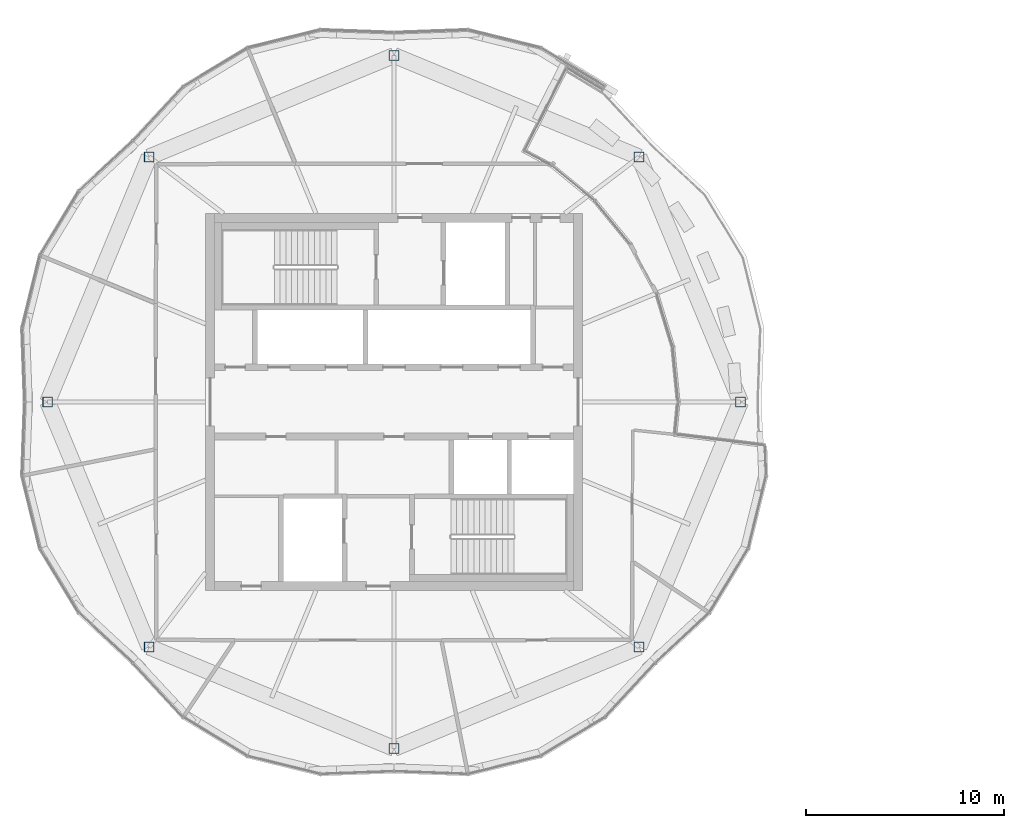
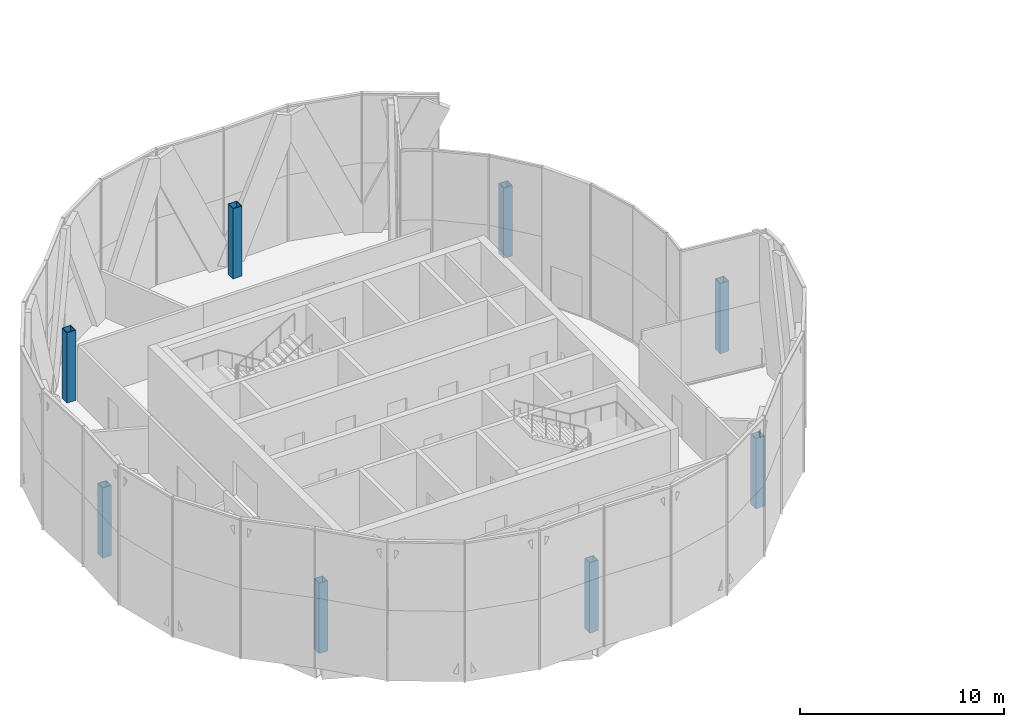
# One storey, part 1 of 24: 8 columns.
"""IFC4 building model written with IfcOpenShell, lengths in metres."""

from ifc_helpers import new_model, si_unit, direction, frame, origin, origin_2d, place, context, subcontext, project, spatial, hollow_rectangle, extrude, material, material_profile, profile_set, type_object, element, save


model = new_model("IFC4")

# Units and contexts
model_context = context("Model", 3, precision=1e-05, world=origin(), true_north=direction((0.0, 1.0)))
body_context = subcontext(model_context, "Body", "Model", "MODEL_VIEW")
ifc_project = project(units=[si_unit("LENGTHUNIT", "METRE"), si_unit("AREAUNIT", "SQUARE_METRE"), si_unit("VOLUMEUNIT", "CUBIC_METRE"), si_unit("PLANEANGLEUNIT", "RADIAN"), si_unit("MASSUNIT", "GRAM", prefix="KILO")], contexts=[model_context])

# Site, building, storey
site_placement = place(None, origin())
site = spatial("IfcSite", under=ifc_project, at=site_placement, CompositionType="ELEMENT")
building_placement = place(site_placement, origin())
building = spatial("IfcBuilding", under=site, at=building_placement, Name="Ogive Gate Towers", CompositionType="ELEMENT")
storey_placement = place(building_placement, frame((0.0, 0.0, 277.199951171875)))
storey = spatial("IfcBuildingStorey", under=building, at=storey_placement, Name="L65", CompositionType="ELEMENT", Elevation=277.199951171875)

# Columns
ifc_material = material(Name="Steel SM460", Category="steel")
ifc_material_profile = material_profile(ifc_material, hollow_rectangle(XDim=0.5, YDim=0.5, WallThickness=0.030029296875, at=origin_2d()), Name="BX 500x500x30")
ifc_profile_set = profile_set([ifc_material_profile], Name="Steel SM460")
column_type = type_object("IfcColumnType", Name="Perimeter post BX 500x500x30", PredefinedType="COLUMN", material=ifc_profile_set)
for number, where, z_axis, x_axis, name in (
    (1, (-18.544921875, 0.0, 0.0), (0.0, 0.0, 1.0), (1.0, 0.0, 0.0), "T1/L65/SCL001"),
    (2, (-23.657470703125, 12.342529296875, 0.0), (0.0, 0.0, 1.0), (1.0, 0.0, 0.0), "T1/L65/SCL002"),
    (3, (-36.0, 17.455078125, 0.0), (0.0, 0.0, 1.0), (1.0, 0.0, 0.0), "T1/L65/SCL003"),
    (4, (-48.342529296875, 12.342529296875, 0.0), (0.0, 0.0, 1.0), (1.0, 0.0, 0.0), "T1/L65/SCL004"),
    (5, (-53.455078125, 0.0, 0.0), (0.0, 0.0, 1.0), (1.0, 0.0, 0.0), "T1/L65/SCL005"),
    (6, (-48.342529296875, -12.342529296875, 0.0), (0.0, 0.0, 1.0), (1.0, 0.0, 0.0), "T1/L65/SCL006"),
    (7, (-36.0, -17.455078125, 0.0), (0.0, 0.0, 1.0), (1.0, 0.0, 0.0), "T1/L65/SCL007"),
    (8, (-23.657470703125, -12.342529296875, 0.0), (0.0, 0.0, 1.0), (1.0, 0.0, 0.0), "T1/L65/SCL008"),
):
    element("IfcColumn", number, at=place(storey_placement, frame(where, z_axis=z_axis, x_axis=x_axis)), inside=storey, type_object=column_type, Name=name, PredefinedType="COLUMN", context=body_context, shape_type="SweptSolid", body=[
        extrude(hollow_rectangle(XDim=0.5, YDim=0.5, WallThickness=0.030029296875, at=origin_2d()), origin(), (0.0, 0.0, 1.0), 4.199951171875),
    ])

save(model, "model.ifc")
